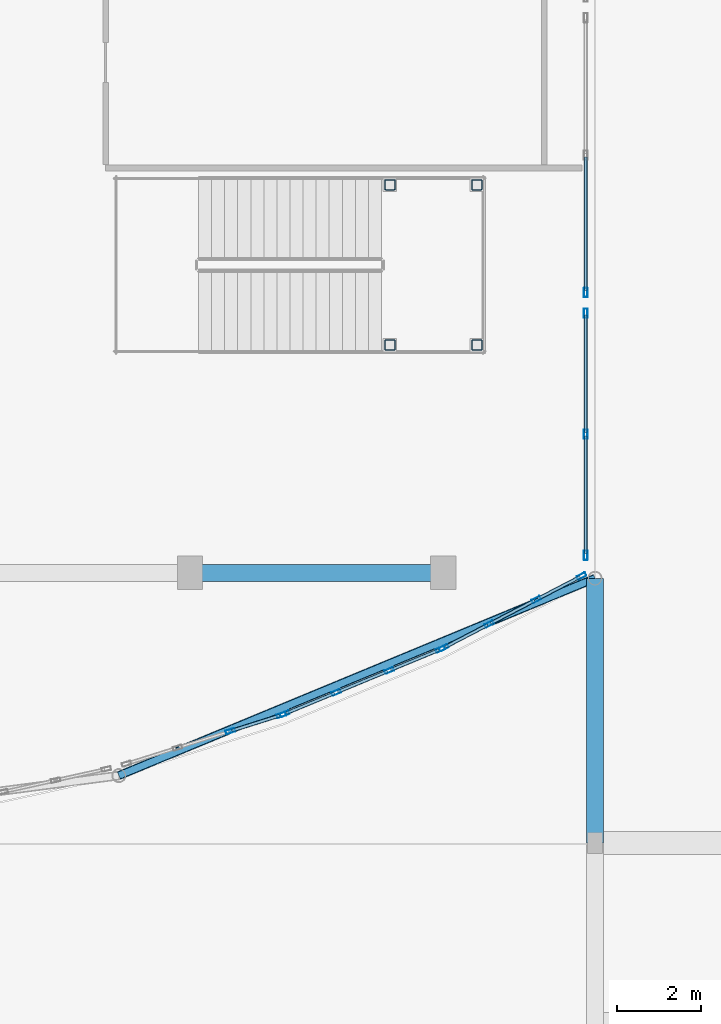
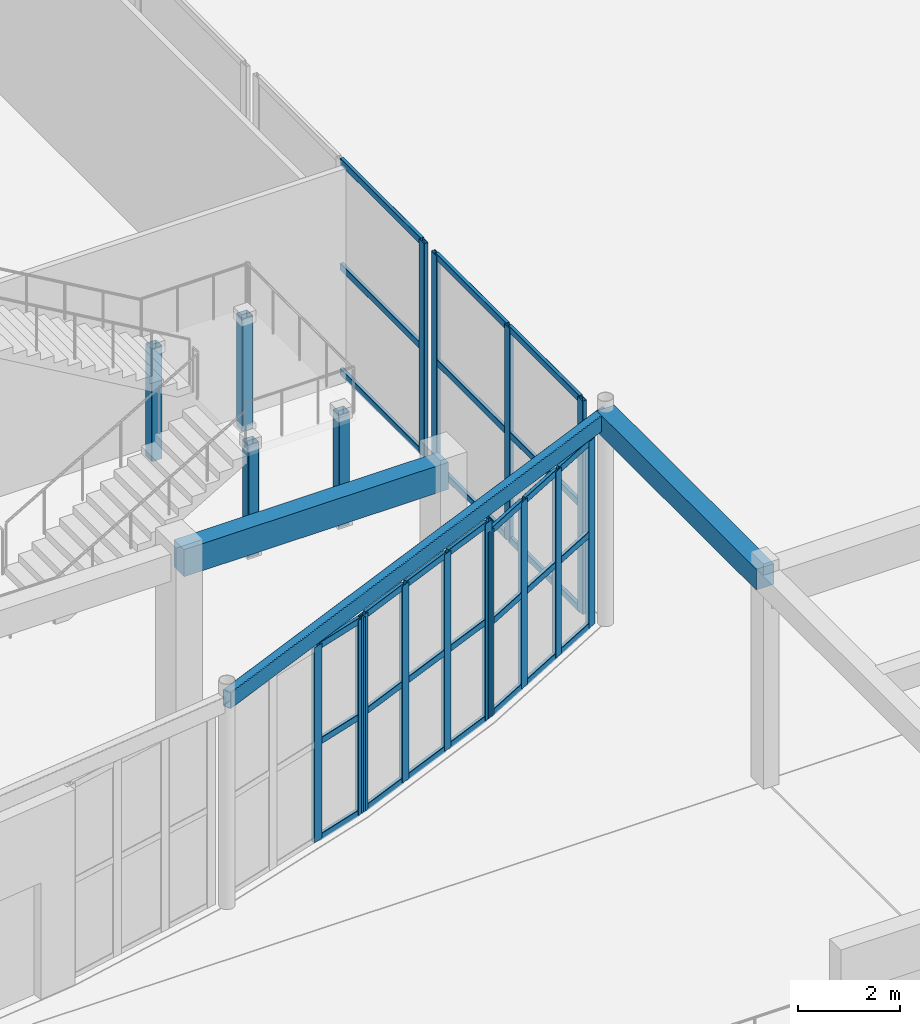
# One storey, part 14 of 98: 48 members, 3 beams, 5 elements without a shape of their own.
"""IFC4 building model written with IfcOpenShell, lengths in metres."""

import ifcopenshell
import ifcopenshell.guid

model = None  # the IFC model being written
_history = None  # IfcOwnerHistory: only IFC2X3 demands one
_inside = {}  # id of a spatial element -> (the spatial element, [elements in it])
_under = {}  # id of a project, library or spatial element -> (it, [spatial elements below it])
_declared = {}  # id of a project -> (the project, [libraries it declares])
_typed = {}  # id of a type object -> (the type object, [elements of that type])
_made_of = {}  # id of a material, layer set ... -> (it, [elements and type objects made of it])


def new_model(schema):
    """Start an empty IFC model of exactly this schema.

    Asked for "IFC4X3", IfcOpenShell would pick the latest addendum, in which some entities
    have other attributes; the version numbers below select the first issue.
    IFC2X3 requires an IfcOwnerHistory on every rooted entity: one is made here for all.
    """
    global model, _history
    if schema == "IFC4X3":
        model = ifcopenshell.file(schema_version=(4, 3, 0, 0))
    else:
        model = ifcopenshell.file(schema=schema)
    _inside.clear()
    _under.clear()
    _declared.clear()
    _typed.clear()
    _made_of.clear()
    _history = None
    if model.schema == "IFC2X3":
        org = make("IfcOrganization", Name="unknown")
        user = make(
            "IfcPersonAndOrganization",
            ThePerson=make("IfcPerson", FamilyName="unknown"),
            TheOrganization=org,
        )
        app = make(
            "IfcApplication",
            ApplicationDeveloper=org,
            Version="unknown",
            ApplicationFullName="unknown",
            ApplicationIdentifier="unknown",
        )
        _history = make(
            "IfcOwnerHistory",
            OwningUser=user,
            OwningApplication=app,
            ChangeAction="ADDED",
            CreationDate=0,
        )
    return model


def make(cls, **values):
    """One entity of the class cls with the attributes given. An attribute that is None is left unset."""
    return model.create_entity(
        cls, **{name: value for name, value in values.items() if value is not None}
    )


def rooted(cls, **values):
    """An entity with a GlobalId (a new one), such as an element, a storey or a relation."""
    return make(cls, GlobalId=ifcopenshell.guid.new(), OwnerHistory=_history, **values)


def si_unit(unit_type, name, prefix=None):
    """IfcSIUnit, for example si_unit("LENGTHUNIT", "METRE", prefix="MILLI")."""
    return make("IfcSIUnit", UnitType=unit_type, Prefix=prefix, Name=name)


def assignment(units):
    """IfcUnitAssignment: the units of a project."""
    return None if units is None else make("IfcUnitAssignment", Units=units)


def point(xyz):
    """IfcCartesianPoint."""
    return None if xyz is None else make("IfcCartesianPoint", Coordinates=xyz)


def direction(xyz):
    """IfcDirection."""
    return None if xyz is None else make("IfcDirection", DirectionRatios=xyz)


def frame(location, z_axis=None, x_axis=None):
    """IfcAxis2Placement3D, a coordinate frame: its origin and axes. An axis left out is left unset."""
    return make(
        "IfcAxis2Placement3D",
        Location=point(location),
        Axis=direction(z_axis),
        RefDirection=direction(x_axis),
    )


def frame_2d(location, x_axis=None):
    """IfcAxis2Placement2D, a coordinate frame in the plane: its origin and x axis."""
    return make(
        "IfcAxis2Placement2D", Location=point(location), RefDirection=direction(x_axis)
    )


def origin():
    """The frame at (0, 0, 0) with its axes left unset."""
    return frame((0.0, 0.0, 0.0))


def origin_2d():
    """The frame at (0, 0) in the plane with its x axis left unset."""
    return frame_2d((0.0, 0.0))


def place(relative_to, where):
    """IfcLocalPlacement: puts the frame where relative to a parent placement (None: the world)."""
    return make(
        "IfcLocalPlacement", PlacementRelTo=relative_to, RelativePlacement=where
    )


def context(
    kind, dimensions, precision=None, world=None, true_north=None, identifier=None
):
    """IfcGeometricRepresentationContext, for example the 3D "Model" context."""
    return make(
        "IfcGeometricRepresentationContext",
        ContextIdentifier=identifier,
        ContextType=kind,
        CoordinateSpaceDimension=dimensions,
        Precision=precision,
        WorldCoordinateSystem=world,
        TrueNorth=true_north,
    )


def subcontext(parent, identifier, kind, view, scale=None):
    """IfcGeometricRepresentationSubContext, for example "Body" below "Model"."""
    return make(
        "IfcGeometricRepresentationSubContext",
        ContextIdentifier=identifier,
        ContextType=kind,
        ParentContext=parent,
        TargetScale=scale,
        TargetView=view,
    )


def project(units=None, contexts=None):
    """IfcProject with its units and contexts."""
    return rooted(
        "IfcProject",
        Name="project",
        RepresentationContexts=contexts,
        UnitsInContext=assignment(units),
    )


def spatial(cls, under=None, at=None, **own):
    """A site, building, storey or space (cls), placed at a placement, below another one or the project."""
    s = rooted(cls, ObjectPlacement=at, **own)
    if under is not None:
        _under.setdefault(under.id(), (under, []))[1].append(s)
    return s


def profile(cls, at=None, kind="AREA", **sizes):
    """A parametric profile (cls). Its sizes go by their IFC names, for example OverallWidth=200.0."""
    return make(cls, ProfileType=kind, Position=at, **sizes)


def rectangle(**sizes):
    """IfcRectangleProfileDef."""
    return profile("IfcRectangleProfileDef", **sizes)


def hollow_rectangle(**sizes):
    """IfcRectangleHollowProfileDef."""
    return profile("IfcRectangleHollowProfileDef", **sizes)


def extrude(swept, where, along, depth):
    """IfcExtrudedAreaSolid: the profile swept, set in the frame where, extruded along a direction by depth."""
    return make(
        "IfcExtrudedAreaSolid",
        SweptArea=swept,
        Position=where,
        ExtrudedDirection=direction(along),
        Depth=depth,
    )


def shape(context_of_items, identifier, shape_type, items):
    """IfcShapeRepresentation: the items that make up one representation, for example the "Body"."""
    return make(
        "IfcShapeRepresentation",
        ContextOfItems=context_of_items,
        RepresentationIdentifier=identifier,
        RepresentationType=shape_type,
        Items=items,
    )


def material(Name=None, Category=None):
    """IfcMaterial."""
    return make("IfcMaterial", Name=Name, Category=Category)


def layer(
    of_material, thickness, ventilated=None, Name=None, Category=None, Priority=None
):
    """IfcMaterialLayer: one layer of a wall or slab, of a material (None: an air gap)."""
    return make(
        "IfcMaterialLayer",
        Material=of_material,
        LayerThickness=thickness,
        IsVentilated=ventilated,
        Name=Name,
        Category=Category,
        Priority=Priority,
    )


def layer_set(layers, Name=None):
    """IfcMaterialLayerSet."""
    return make("IfcMaterialLayerSet", MaterialLayers=layers, LayerSetName=Name)


def material_profile(
    of_material, cross_section, Name=None, Category=None, Priority=None
):
    """IfcMaterialProfile: a cross section and its material."""
    return make(
        "IfcMaterialProfile",
        Name=Name,
        Material=of_material,
        Profile=cross_section,
        Priority=Priority,
        Category=Category,
    )


def profile_set(profiles, Name=None, composite=None):
    """IfcMaterialProfileSet."""
    return make(
        "IfcMaterialProfileSet",
        Name=Name,
        MaterialProfiles=profiles,
        CompositeProfile=composite,
    )


def made_of(thing, what):
    """Note that an element or type object is made of a material, layer set ...; save() writes the relation."""
    if what is not None:
        _made_of.setdefault(what.id(), (what, []))[1].append(thing)
    return thing


def type_object(cls, material=None, **own):
    """A type object (cls), such as IfcWallType, which elements share."""
    return made_of(rooted(cls, **own), material)


def element(
    cls,
    number,
    at=None,
    inside=None,
    cuts=None,
    type_object=None,
    material=None,
    context=None,
    identifier="Body",
    shape_type=None,
    held_by="IfcProductDefinitionShape",
    body=None,
    shapes=None,
    **own,
):
    """One element of the class cls, such as IfcWall. Its Tag is "e" and its number.

    at: its placement. inside: the storey or other place that contains it. cuts: it is an
    opening in that element (IfcRelVoidsElement). A single representation is given by context,
    identifier, shape_type and body (its items); several are given by shapes. held_by: the class
    of the entity that holds the representations. save() writes the other relations.
    """
    e = rooted(cls, Tag="e%d" % number, ObjectPlacement=at, **own)
    if body is not None:
        shapes = [shape(context, identifier, shape_type, body)]
    if shapes is not None:
        e.Representation = make(held_by, Representations=shapes)
    if inside is not None:
        _inside.setdefault(inside.id(), (inside, []))[1].append(e)
    if cuts is not None:
        rooted(
            "IfcRelVoidsElement", RelatingBuildingElement=cuts, RelatedOpeningElement=e
        )
    if type_object is not None:
        _typed.setdefault(type_object.id(), (type_object, []))[1].append(e)
    return made_of(e, material)


def aggregate(whole, parts):
    """IfcRelAggregates: a whole, such as a stair, and the parts it consists of."""
    return rooted("IfcRelAggregates", RelatingObject=whole, RelatedObjects=parts)


def save(model, path):
    """Write the relations noted so far, then the file.

    IfcRelAggregates (storeys below a building ...), IfcRelContainedInSpatialStructure (elements
    in a storey), IfcRelDefinesByType, IfcRelAssociatesMaterial and IfcRelDeclares: one each for
    every whole, place, type object, material and project.
    """
    for whole, parts in _under.values():
        aggregate(whole, parts)
    for where, things in _inside.values():
        rooted(
            "IfcRelContainedInSpatialStructure",
            RelatedElements=things,
            RelatingStructure=where,
        )
    for kind, things in _typed.values():
        rooted("IfcRelDefinesByType", RelatedObjects=things, RelatingType=kind)
    for what, things in _made_of.values():
        rooted("IfcRelAssociatesMaterial", RelatedObjects=things, RelatingMaterial=what)
    for by, libraries in _declared.values():
        rooted("IfcRelDeclares", RelatingContext=by, RelatedDefinitions=libraries)
    model.write(path)


model = new_model("IFC4")

# Units and contexts
model_context = context("Model", 3, precision=1e-05, world=origin(), true_north=direction((0.0, 1.0)))
body_context = subcontext(model_context, "Body", "Model", "MODEL_VIEW")
ifc_project = project(units=[si_unit("LENGTHUNIT", "METRE"), si_unit("AREAUNIT", "SQUARE_METRE"), si_unit("VOLUMEUNIT", "CUBIC_METRE"), si_unit("PLANEANGLEUNIT", "RADIAN"), si_unit("MASSUNIT", "GRAM", prefix="KILO")], contexts=[model_context])

# Site, building, storey
site_placement = place(None, origin())
site = spatial("IfcSite", under=ifc_project, at=site_placement, CompositionType="ELEMENT")
building_placement = place(site_placement, origin())
building = spatial("IfcBuilding", under=site, at=building_placement, Name="Tarnavel Promenade Courthouse", CompositionType="ELEMENT")
storey_placement = place(building_placement, origin())
storey = spatial("IfcBuildingStorey", under=building, at=storey_placement, Name="L01", CompositionType="ELEMENT", Elevation=0.0)

# Beams
ifc_material_1 = material(Name="Concrete C40/50", Category="concrete")
ifc_material_profile_1 = material_profile(ifc_material_1, rectangle(XDim=0.39990234375, YDim=0.5, at=origin_2d()), Name="RC 400x500")
ifc_profile_set_1 = profile_set([ifc_material_profile_1], Name="Concrete C40/50")
beam_type_1 = type_object("IfcBeamType", Name="Concrete C40/50 BM-RC-400x500 (RC 400x500)", PredefinedType="BEAM", material=ifc_profile_set_1)
beam_1_placement = place(storey_placement, frame((55.199951171875, 8.39990234375, 4.885009765625), z_axis=(0.0, 1.0, 0.0), x_axis=(-1.0, 0.0, 0.0)))
element("IfcBeam", 1, at=beam_1_placement, inside=storey, type_object=beam_type_1, Name="L01 Transverse Girder 0788", PredefinedType="BEAM", context=body_context, shape_type="SweptSolid", body=[
    extrude(rectangle(XDim=0.39990234375, YDim=0.5, at=origin_2d()), origin(), (0.0, 0.0, 1.0), 6.27001953125),
])
ifc_material_profile_2 = material_profile(ifc_material_1, rectangle(XDim=0.39990234375, YDim=0.64990234375, at=origin_2d()), Name="RC 400x650")
ifc_profile_set_2 = profile_set([ifc_material_profile_2], Name="Concrete C40/50")
beam_type_2 = type_object("IfcBeamType", Name="Concrete C40/50 BM-RC-400x650 (RC 400x650)", PredefinedType="BEAM", material=ifc_profile_set_2)
beam_2_placement = place(storey_placement, frame((45.60009765625, 14.800048828125, 4.81005859375), z_axis=(1.0, 0.0, 0.0), x_axis=(0.0, 1.0, 0.0)))
element("IfcBeam", 2, at=beam_2_placement, inside=storey, type_object=beam_type_2, Name="L01 Primary Longitudinal Beam 0586", PredefinedType="BEAM", context=body_context, shape_type="SweptSolid", body=[
    extrude(rectangle(XDim=0.39990234375, YDim=0.64990234375, at=origin_2d()), origin(), (0.0, 0.0, 1.0), 6.0),
])
ifc_material_2 = material(Name="Steel S355J2", Category="steel")
ifc_material_profile_3 = material_profile(ifc_material_2, hollow_rectangle(XDim=0.199951171875, YDim=0.39990234375, WallThickness=0.01416015625, InnerFilletRadius=0.013916015625, OuterFilletRadius=0.028076171875, at=origin_2d()), Name="RHS 400x200x14.2")
ifc_profile_set_3 = profile_set([ifc_material_profile_3], Name="Steel S355J2")
beam_type_3 = type_object("IfcBeamType", Name="Steel S355J2 BM-ST-RHS400 (RHS 400x200x14.2)", PredefinedType="SPANDREL", material=ifc_profile_set_3)
beam_3_placement = place(storey_placement, frame((43.91259765625, 9.99462890625, 4.93505859375), z_axis=(0.923881903753, 0.38267770763, 0.0), x_axis=(-0.38267770763, 0.923881903753, 0.0)))
element("IfcBeam", 3, at=beam_3_placement, inside=storey, type_object=beam_type_3, Name="L01 Public Drum Ring Beam 1069", PredefinedType="SPANDREL", context=body_context, shape_type="SweptSolid", body=[
    extrude(hollow_rectangle(XDim=0.199951171875, YDim=0.39990234375, WallThickness=0.01416015625, InnerFilletRadius=0.013916015625, OuterFilletRadius=0.028076171875, at=origin_2d()), origin(), (0.0, 0.0, 1.0), 12.21728515625),
])

# Members
ifc_material_profile_4 = material_profile(ifc_material_2, hollow_rectangle(XDim=0.25, YDim=0.25, WallThickness=0.012451171875, InnerFilletRadius=0.012451171875, OuterFilletRadius=0.02490234375, at=origin_2d()), Name="SHS 250x250x12.5")
ifc_profile_set_4 = profile_set([ifc_material_profile_4], Name="Steel S355J2")
member_type_1 = type_object("IfcMemberType", Name="Steel S355J2 MEM-STR-SHS250 (SHS 250x250x12.5)", PredefinedType="STRUT", material=ifc_profile_set_4)
for number, where, z_axis, x_axis, name in (
    (4, (50.340087890625, 20.199951171875, 0.0), (0.0, 0.0, 1.0), (1.0, 0.0, 0.0), "L01 ST-09 Monumental Stair Landing Post 1"),
    (5, (52.39990234375, 20.199951171875, 0.0), (0.0, 0.0, 1.0), (1.0, 0.0, 0.0), "L01 ST-09 Monumental Stair Landing Post 2"),
    (6, (50.340087890625, 24.0, 0.0), (0.0, 0.0, 1.0), (1.0, 0.0, 0.0), "L01 ST-09 Monumental Stair Landing Post 3"),
    (7, (52.39990234375, 24.0, 0.0), (0.0, 0.0, 1.0), (1.0, 0.0, 0.0), "L01 ST-09 Monumental Stair Landing Post 4"),
):
    element("IfcMember", number, at=place(storey_placement, frame(where, z_axis=z_axis, x_axis=x_axis)), inside=storey, type_object=member_type_1, Name=name, PredefinedType="STRUT", context=body_context, shape_type="SweptSolid", body=[
        extrude(hollow_rectangle(XDim=0.25, YDim=0.25, WallThickness=0.012451171875, InnerFilletRadius=0.012451171875, OuterFilletRadius=0.02490234375, at=origin_2d()), origin(), (0.0, 0.0, 1.0), 2.699951171875),
    ])

# Curtain wall, members
ifc_material_3 = material(Name="Thermally Broken Anodised Aluminium Curtain Wall System", Category="aluminium")
ifc_layer = layer(ifc_material_3, 0.219970703125)
ifc_layer_set = layer_set([ifc_layer], Name="Thermally Broken Anodised Aluminium Curtain Wall System")
curtain_wall_type = type_object("IfcCurtainWallType", Name="Thermally Broken Aluminium Triple-Glazed Curtain Wall CW-DRUM", PredefinedType="NOTDEFINED", material=ifc_layer_set)
curtain_wall_1_placement = place(storey_placement, origin())
curtain_wall_1 = element("IfcCurtainWall", 8, at=curtain_wall_1_placement, inside=storey, type_object=curtain_wall_type, Name="L01 Public Hall Drum Curtain Wall 006", PredefinedType="NOTDEFINED")
ifc_material_4 = material(Name="Thermally Broken Anodised Aluminium Frame", Category="aluminium")
ifc_material_profile_5 = material_profile(ifc_material_4, hollow_rectangle(XDim=0.090087890625, YDim=0.219970703125, WallThickness=0.0048828125, InnerFilletRadius=0.0048828125, OuterFilletRadius=0.010009765625, at=origin_2d()), Name="CWM 220x90x5")
ifc_profile_set_5 = profile_set([ifc_material_profile_5], Name="Thermally Broken Anodised Aluminium Frame")
member_type_2 = type_object("IfcMemberType", Name="Thermally Broken Anodised Aluminium CWM-175 (CWM 220x90x5)", PredefinedType="MULLION", material=ifc_profile_set_5)
member_1_placement = place(storey_placement, frame((46.554931640625, 11.0478515625, 0.0), z_axis=(0.0, 0.0, 1.0), x_axis=(-0.300704046766, 0.953717503383, 0.0)))
member_1 = element("IfcMember", 9, at=member_1_placement, type_object=member_type_2, Name="CW-01 mullion 3", PredefinedType="MULLION", context=body_context, shape_type="SweptSolid", body=[
    extrude(hollow_rectangle(XDim=0.090087890625, YDim=0.219970703125, WallThickness=0.0048828125, InnerFilletRadius=0.0048828125, OuterFilletRadius=0.010009765625, at=origin_2d()), origin(), (0.0, 0.0, 1.0), 4.679931640625),
])
member_2_placement = place(storey_placement, frame((47.763671875, 11.428955078125, 0.0), z_axis=(0.0, 0.0, 1.0), x_axis=(-0.300704046766, 0.953717503383, 0.0)))
member_2 = element("IfcMember", 10, at=member_2_placement, type_object=member_type_2, Name="CW-01 mullion 4", PredefinedType="MULLION", context=body_context, shape_type="SweptSolid", body=[
    extrude(hollow_rectangle(XDim=0.090087890625, YDim=0.219970703125, WallThickness=0.0048828125, InnerFilletRadius=0.0048828125, OuterFilletRadius=0.010009765625, at=origin_2d()), origin(), (0.0, 0.0, 1.0), 4.679931640625),
])

curtain_wall_2_placement = place(storey_placement, origin())
curtain_wall_2 = element("IfcCurtainWall", 11, at=curtain_wall_2_placement, inside=storey, type_object=curtain_wall_type, Name="L01 Public Hall Drum Curtain Wall 007", PredefinedType="NOTDEFINED")
member_3_placement = place(storey_placement, frame((47.84814453125, 11.459716796875, 0.0), z_axis=(0.0, 0.0, 1.0), x_axis=(-0.382684779296, 0.923878974593, 0.0)))
member_3 = element("IfcMember", 12, at=member_3_placement, type_object=member_type_2, Name="CW-01 mullion 1", PredefinedType="MULLION", context=body_context, shape_type="SweptSolid", body=[
    extrude(hollow_rectangle(XDim=0.090087890625, YDim=0.219970703125, WallThickness=0.0048828125, InnerFilletRadius=0.0048828125, OuterFilletRadius=0.010009765625, at=origin_2d()), origin(), (0.0, 0.0, 1.0), 4.719970703125),
])
member_4_placement = place(storey_placement, frame((49.06396484375, 11.963134765625, 0.0), z_axis=(0.0, 0.0, 1.0), x_axis=(-0.382684779296, 0.923878974593, 0.0)))
member_4 = element("IfcMember", 13, at=member_4_placement, type_object=member_type_2, Name="CW-01 mullion 2", PredefinedType="MULLION", context=body_context, shape_type="SweptSolid", body=[
    extrude(hollow_rectangle(XDim=0.090087890625, YDim=0.219970703125, WallThickness=0.0048828125, InnerFilletRadius=0.0048828125, OuterFilletRadius=0.010009765625, at=origin_2d()), origin(), (0.0, 0.0, 1.0), 4.719970703125),
])
member_5_placement = place(storey_placement, frame((50.3212890625, 12.48388671875, 0.0), z_axis=(0.0, 0.0, 1.0), x_axis=(-0.382684779296, 0.923878974593, 0.0)))
member_5 = element("IfcMember", 14, at=member_5_placement, type_object=member_type_2, Name="CW-01 mullion 3", PredefinedType="MULLION", context=body_context, shape_type="SweptSolid", body=[
    extrude(hollow_rectangle(XDim=0.090087890625, YDim=0.219970703125, WallThickness=0.0048828125, InnerFilletRadius=0.0048828125, OuterFilletRadius=0.010009765625, at=origin_2d()), origin(), (0.0, 0.0, 1.0), 4.719970703125),
])
member_6_placement = place(storey_placement, frame((51.536865234375, 12.987548828125, 0.0), z_axis=(0.0, 0.0, 1.0), x_axis=(-0.382684779296, 0.923878974593, 0.0)))
member_6 = element("IfcMember", 15, at=member_6_placement, type_object=member_type_2, Name="CW-01 mullion 4", PredefinedType="MULLION", context=body_context, shape_type="SweptSolid", body=[
    extrude(hollow_rectangle(XDim=0.090087890625, YDim=0.219970703125, WallThickness=0.0048828125, InnerFilletRadius=0.0048828125, OuterFilletRadius=0.010009765625, at=origin_2d()), origin(), (0.0, 0.0, 1.0), 4.719970703125),
])

curtain_wall_3_placement = place(storey_placement, origin())
curtain_wall_3 = element("IfcCurtainWall", 16, at=curtain_wall_3_placement, inside=storey, type_object=curtain_wall_type, Name="L01 Public Hall Drum Curtain Wall 008", PredefinedType="NOTDEFINED")
member_7_placement = place(storey_placement, frame((51.618408203125, 13.025634765625, 0.0), z_axis=(0.0, 0.0, 1.0), x_axis=(-0.461746974945, 0.887011686016, 0.0)))
member_7 = element("IfcMember", 17, at=member_7_placement, type_object=member_type_2, Name="CW-01 mullion 1", PredefinedType="MULLION", context=body_context, shape_type="SweptSolid", body=[
    extrude(hollow_rectangle(XDim=0.090087890625, YDim=0.219970703125, WallThickness=0.0048828125, InnerFilletRadius=0.0048828125, OuterFilletRadius=0.010009765625, at=origin_2d()), origin(), (0.0, 0.0, 1.0), 4.469970703125),
])
member_8_placement = place(storey_placement, frame((52.69287109375, 13.5849609375, 0.0), z_axis=(0.0, 0.0, 1.0), x_axis=(-0.461746974945, 0.887011686016, 0.0)))
member_8 = element("IfcMember", 18, at=member_8_placement, type_object=member_type_2, Name="CW-01 mullion 2", PredefinedType="MULLION", context=body_context, shape_type="SweptSolid", body=[
    extrude(hollow_rectangle(XDim=0.090087890625, YDim=0.219970703125, WallThickness=0.0048828125, InnerFilletRadius=0.0048828125, OuterFilletRadius=0.010009765625, at=origin_2d()), origin(), (0.0, 0.0, 1.0), 4.469970703125),
])
member_9_placement = place(storey_placement, frame((53.807373046875, 14.1650390625, 0.0), z_axis=(0.0, 0.0, 1.0), x_axis=(-0.461746974945, 0.887011686016, 0.0)))
member_9 = element("IfcMember", 19, at=member_9_placement, type_object=member_type_2, Name="CW-01 mullion 3", PredefinedType="MULLION", context=body_context, shape_type="SweptSolid", body=[
    extrude(hollow_rectangle(XDim=0.090087890625, YDim=0.219970703125, WallThickness=0.0048828125, InnerFilletRadius=0.0048828125, OuterFilletRadius=0.010009765625, at=origin_2d()), origin(), (0.0, 0.0, 1.0), 4.469970703125),
])
member_10_placement = place(storey_placement, frame((54.882080078125, 14.724365234375, 0.0), z_axis=(0.0, 0.0, 1.0), x_axis=(-0.461746974945, 0.887011686016, 0.0)))
member_10 = element("IfcMember", 20, at=member_10_placement, type_object=member_type_2, Name="CW-01 mullion 4", PredefinedType="MULLION", context=body_context, shape_type="SweptSolid", body=[
    extrude(hollow_rectangle(XDim=0.090087890625, YDim=0.219970703125, WallThickness=0.0048828125, InnerFilletRadius=0.0048828125, OuterFilletRadius=0.010009765625, at=origin_2d()), origin(), (0.0, 0.0, 1.0), 4.469970703125),
])

curtain_wall_4_placement = place(storey_placement, origin())
curtain_wall_4 = element("IfcCurtainWall", 21, at=curtain_wall_4_placement, inside=storey, type_object=curtain_wall_type, Name="L01 Public Drum East Return Curtain Wall 009", PredefinedType="NOTDEFINED")
member_11_placement = place(storey_placement, frame((54.97998046875, 15.215087890625, 0.0), z_axis=(0.0, 0.0, 1.0), x_axis=(-1.0, 0.0, 0.0)))
member_11 = element("IfcMember", 22, at=member_11_placement, type_object=member_type_2, Name="CW-01 mullion 1", PredefinedType="MULLION", context=body_context, shape_type="SweptSolid", body=[
    extrude(hollow_rectangle(XDim=0.090087890625, YDim=0.219970703125, WallThickness=0.0048828125, InnerFilletRadius=0.0048828125, OuterFilletRadius=0.010009765625, at=origin_2d()), origin(), (0.0, 0.0, 1.0), 5.1201171875),
])
member_12_placement = place(storey_placement, frame((54.97998046875, 18.0849609375, 0.0), z_axis=(0.0, 0.0, 1.0), x_axis=(-1.0, 0.0, 0.0)))
member_12 = element("IfcMember", 23, at=member_12_placement, type_object=member_type_2, Name="CW-01 mullion 2", PredefinedType="MULLION", context=body_context, shape_type="SweptSolid", body=[
    extrude(hollow_rectangle(XDim=0.090087890625, YDim=0.219970703125, WallThickness=0.0048828125, InnerFilletRadius=0.0048828125, OuterFilletRadius=0.010009765625, at=origin_2d()), origin(), (0.0, 0.0, 1.0), 5.1201171875),
])
member_13_placement = place(storey_placement, frame((54.97998046875, 20.955078125, 0.0), z_axis=(0.0, 0.0, 1.0), x_axis=(-1.0, 0.0, 0.0)))
member_13 = element("IfcMember", 24, at=member_13_placement, type_object=member_type_2, Name="CW-01 mullion 3", PredefinedType="MULLION", context=body_context, shape_type="SweptSolid", body=[
    extrude(hollow_rectangle(XDim=0.090087890625, YDim=0.219970703125, WallThickness=0.0048828125, InnerFilletRadius=0.0048828125, OuterFilletRadius=0.010009765625, at=origin_2d()), origin(), (0.0, 0.0, 1.0), 5.1201171875),
])

# Curtain wall, member
curtain_wall_5_placement = place(storey_placement, origin())
curtain_wall_5 = element("IfcCurtainWall", 25, at=curtain_wall_5_placement, inside=storey, type_object=curtain_wall_type, Name="L01 Public Drum East Return Curtain Wall 010", PredefinedType="NOTDEFINED")
member_14_placement = place(storey_placement, frame((54.97998046875, 21.445068359375, 0.0), z_axis=(0.0, 0.0, 1.0), x_axis=(-1.0, 0.0, 0.0)))
member_14 = element("IfcMember", 26, at=member_14_placement, type_object=member_type_2, Name="CW-01 mullion 1", PredefinedType="MULLION", context=body_context, shape_type="SweptSolid", body=[
    extrude(hollow_rectangle(XDim=0.090087890625, YDim=0.219970703125, WallThickness=0.0048828125, InnerFilletRadius=0.0048828125, OuterFilletRadius=0.010009765625, at=origin_2d()), origin(), (0.0, 0.0, 1.0), 5.1201171875),
])

# Member
ifc_material_profile_6 = material_profile(ifc_material_4, hollow_rectangle(XDim=0.080078125, YDim=0.159912109375, WallThickness=0.0048828125, InnerFilletRadius=0.0048828125, OuterFilletRadius=0.010009765625, at=origin_2d()), Name="CWT 160x80x5")
ifc_profile_set_6 = profile_set([ifc_material_profile_6], Name="Thermally Broken Anodised Aluminium Frame")
member_type_3 = type_object("IfcMemberType", Name="Thermally Broken Anodised Aluminium CWT-145 (CWT 160x80x5)", PredefinedType="USERDEFINED", material=ifc_profile_set_6)
member_15_placement = place(storey_placement, frame((46.597900390625, 11.061279296875, 0.0400390625), z_axis=(0.953720467318, 0.300694646143, 0.0), x_axis=(-0.300694646143, 0.953720467318, 0.0)))
member_15 = element("IfcMember", 27, at=member_15_placement, type_object=member_type_3, Name="CW-01 transom 3.1", ObjectType="TRANSOM", PredefinedType="USERDEFINED", context=body_context, shape_type="SweptSolid", body=[
    extrude(hollow_rectangle(XDim=0.080078125, YDim=0.159912109375, WallThickness=0.0048828125, InnerFilletRadius=0.0048828125, OuterFilletRadius=0.010009765625, at=origin_2d()), origin(), (0.0, 0.0, 1.0), 1.17724609375),
])

member_16_placement = place(storey_placement, frame((46.597900390625, 11.061279296875, 2.340087890625), z_axis=(0.953720467318, 0.300694646143, 0.0), x_axis=(-0.300694646143, 0.953720467318, 0.0)))
member_16 = element("IfcMember", 28, at=member_16_placement, type_object=member_type_3, Name="CW-01 transom 3.2", ObjectType="TRANSOM", PredefinedType="USERDEFINED", context=body_context, shape_type="SweptSolid", body=[
    extrude(hollow_rectangle(XDim=0.080078125, YDim=0.159912109375, WallThickness=0.0048828125, InnerFilletRadius=0.0048828125, OuterFilletRadius=0.010009765625, at=origin_2d()), origin(), (0.0, 0.0, 1.0), 1.17724609375),
])

member_17_placement = place(storey_placement, frame((46.597900390625, 11.061279296875, 4.639892578125), z_axis=(0.953720467318, 0.300694646143, 0.0), x_axis=(-0.300694646143, 0.953720467318, 0.0)))
member_17 = element("IfcMember", 29, at=member_17_placement, type_object=member_type_3, Name="CW-01 transom 3.3", ObjectType="TRANSOM", PredefinedType="USERDEFINED", context=body_context, shape_type="SweptSolid", body=[
    extrude(hollow_rectangle(XDim=0.080078125, YDim=0.159912109375, WallThickness=0.0048828125, InnerFilletRadius=0.0048828125, OuterFilletRadius=0.010009765625, at=origin_2d()), origin(), (0.0, 0.0, 1.0), 1.17724609375),
])

aggregate(curtain_wall_1, [member_1, member_2, member_15, member_16, member_17])

member_18_placement = place(storey_placement, frame((47.8896484375, 11.476806640625, 0.0400390625), z_axis=(0.923846909596, 0.382762181557, 0.0), x_axis=(-0.382762181557, 0.923846909596, 0.0)))
member_18 = element("IfcMember", 30, at=member_18_placement, type_object=member_type_3, Name="CW-01 transom 1.1", ObjectType="TRANSOM", PredefinedType="USERDEFINED", context=body_context, shape_type="SweptSolid", body=[
    extrude(hollow_rectangle(XDim=0.080078125, YDim=0.159912109375, WallThickness=0.0048828125, InnerFilletRadius=0.0048828125, OuterFilletRadius=0.010009765625, at=origin_2d()), origin(), (0.0, 0.0, 1.0), 1.225830078125),
])

member_19_placement = place(storey_placement, frame((47.8896484375, 11.476806640625, 2.360107421875), z_axis=(0.923846909596, 0.382762181557, 0.0), x_axis=(-0.382762181557, 0.923846909596, 0.0)))
member_19 = element("IfcMember", 31, at=member_19_placement, type_object=member_type_3, Name="CW-01 transom 1.2", ObjectType="TRANSOM", PredefinedType="USERDEFINED", context=body_context, shape_type="SweptSolid", body=[
    extrude(hollow_rectangle(XDim=0.080078125, YDim=0.159912109375, WallThickness=0.0048828125, InnerFilletRadius=0.0048828125, OuterFilletRadius=0.010009765625, at=origin_2d()), origin(), (0.0, 0.0, 1.0), 1.225830078125),
])

member_20_placement = place(storey_placement, frame((47.8896484375, 11.476806640625, 4.679931640625), z_axis=(0.923846909596, 0.382762181557, 0.0), x_axis=(-0.382762181557, 0.923846909596, 0.0)))
member_20 = element("IfcMember", 32, at=member_20_placement, type_object=member_type_3, Name="CW-01 transom 1.3", ObjectType="TRANSOM", PredefinedType="USERDEFINED", context=body_context, shape_type="SweptSolid", body=[
    extrude(hollow_rectangle(XDim=0.080078125, YDim=0.159912109375, WallThickness=0.0048828125, InnerFilletRadius=0.0048828125, OuterFilletRadius=0.010009765625, at=origin_2d()), origin(), (0.0, 0.0, 1.0), 1.225830078125),
])

member_21_placement = place(storey_placement, frame((49.10546875, 11.98046875, 0.0400390625), z_axis=(0.923876341576, 0.382691135874, 0.0), x_axis=(-0.382691135874, 0.923876341576, 0.0)))
member_21 = element("IfcMember", 33, at=member_21_placement, type_object=member_type_3, Name="CW-01 transom 2.1", ObjectType="TRANSOM", PredefinedType="USERDEFINED", context=body_context, shape_type="SweptSolid", body=[
    extrude(hollow_rectangle(XDim=0.080078125, YDim=0.159912109375, WallThickness=0.0048828125, InnerFilletRadius=0.0048828125, OuterFilletRadius=0.010009765625, at=origin_2d()), origin(), (0.0, 0.0, 1.0), 1.270751953125),
])

member_22_placement = place(storey_placement, frame((49.10546875, 11.98046875, 2.360107421875), z_axis=(0.923876341576, 0.382691135874, 0.0), x_axis=(-0.382691135874, 0.923876341576, 0.0)))
member_22 = element("IfcMember", 34, at=member_22_placement, type_object=member_type_3, Name="CW-01 transom 2.2", ObjectType="TRANSOM", PredefinedType="USERDEFINED", context=body_context, shape_type="SweptSolid", body=[
    extrude(hollow_rectangle(XDim=0.080078125, YDim=0.159912109375, WallThickness=0.0048828125, InnerFilletRadius=0.0048828125, OuterFilletRadius=0.010009765625, at=origin_2d()), origin(), (0.0, 0.0, 1.0), 1.270751953125),
])

member_23_placement = place(storey_placement, frame((49.10546875, 11.98046875, 4.679931640625), z_axis=(0.923876341576, 0.382691135874, 0.0), x_axis=(-0.382691135874, 0.923876341576, 0.0)))
member_23 = element("IfcMember", 35, at=member_23_placement, type_object=member_type_3, Name="CW-01 transom 2.3", ObjectType="TRANSOM", PredefinedType="USERDEFINED", context=body_context, shape_type="SweptSolid", body=[
    extrude(hollow_rectangle(XDim=0.080078125, YDim=0.159912109375, WallThickness=0.0048828125, InnerFilletRadius=0.0048828125, OuterFilletRadius=0.010009765625, at=origin_2d()), origin(), (0.0, 0.0, 1.0), 1.270751953125),
])

member_24_placement = place(storey_placement, frame((50.36279296875, 12.501220703125, 0.0400390625), z_axis=(0.923846909596, 0.382762181557, 0.0), x_axis=(-0.382762181557, 0.923846909596, 0.0)))
member_24 = element("IfcMember", 36, at=member_24_placement, type_object=member_type_3, Name="CW-01 transom 3.1", ObjectType="TRANSOM", PredefinedType="USERDEFINED", context=body_context, shape_type="SweptSolid", body=[
    extrude(hollow_rectangle(XDim=0.080078125, YDim=0.159912109375, WallThickness=0.0048828125, InnerFilletRadius=0.0048828125, OuterFilletRadius=0.010009765625, at=origin_2d()), origin(), (0.0, 0.0, 1.0), 1.225830078125),
])

member_25_placement = place(storey_placement, frame((50.36279296875, 12.501220703125, 2.360107421875), z_axis=(0.923846909596, 0.382762181557, 0.0), x_axis=(-0.382762181557, 0.923846909596, 0.0)))
member_25 = element("IfcMember", 37, at=member_25_placement, type_object=member_type_3, Name="CW-01 transom 3.2", ObjectType="TRANSOM", PredefinedType="USERDEFINED", context=body_context, shape_type="SweptSolid", body=[
    extrude(hollow_rectangle(XDim=0.080078125, YDim=0.159912109375, WallThickness=0.0048828125, InnerFilletRadius=0.0048828125, OuterFilletRadius=0.010009765625, at=origin_2d()), origin(), (0.0, 0.0, 1.0), 1.225830078125),
])

member_26_placement = place(storey_placement, frame((50.36279296875, 12.501220703125, 4.679931640625), z_axis=(0.923846909596, 0.382762181557, 0.0), x_axis=(-0.382762181557, 0.923846909596, 0.0)))
member_26 = element("IfcMember", 38, at=member_26_placement, type_object=member_type_3, Name="CW-01 transom 3.3", ObjectType="TRANSOM", PredefinedType="USERDEFINED", context=body_context, shape_type="SweptSolid", body=[
    extrude(hollow_rectangle(XDim=0.080078125, YDim=0.159912109375, WallThickness=0.0048828125, InnerFilletRadius=0.0048828125, OuterFilletRadius=0.010009765625, at=origin_2d()), origin(), (0.0, 0.0, 1.0), 1.225830078125),
])

aggregate(curtain_wall_2, [member_3, member_4, member_5, member_6, member_18, member_19, member_20, member_21, member_22, member_23, member_24, member_25, member_26])

member_27_placement = place(storey_placement, frame((51.658447265625, 13.04638671875, 0.0400390625), z_axis=(0.886992120745, 0.461784557707, 0.0), x_axis=(-0.461784557707, 0.886992120745, 0.0)))
member_27 = element("IfcMember", 39, at=member_27_placement, type_object=member_type_3, Name="CW-01 transom 1.1", ObjectType="TRANSOM", PredefinedType="USERDEFINED", context=body_context, shape_type="SweptSolid", body=[
    extrude(hollow_rectangle(XDim=0.080078125, YDim=0.159912109375, WallThickness=0.0048828125, InnerFilletRadius=0.0048828125, OuterFilletRadius=0.010009765625, at=origin_2d()), origin(), (0.0, 0.0, 1.0), 1.121337890625),
])

member_28_placement = place(storey_placement, frame((51.658447265625, 13.04638671875, 2.235107421875), z_axis=(0.886992120745, 0.461784557707, 0.0), x_axis=(-0.461784557707, 0.886992120745, 0.0)))
member_28 = element("IfcMember", 40, at=member_28_placement, type_object=member_type_3, Name="CW-01 transom 1.2", ObjectType="TRANSOM", PredefinedType="USERDEFINED", context=body_context, shape_type="SweptSolid", body=[
    extrude(hollow_rectangle(XDim=0.080078125, YDim=0.159912109375, WallThickness=0.0048828125, InnerFilletRadius=0.0048828125, OuterFilletRadius=0.010009765625, at=origin_2d()), origin(), (0.0, 0.0, 1.0), 1.121337890625),
])

member_29_placement = place(storey_placement, frame((51.658447265625, 13.04638671875, 4.429931640625), z_axis=(0.886992120745, 0.461784557707, 0.0), x_axis=(-0.461784557707, 0.886992120745, 0.0)))
member_29 = element("IfcMember", 41, at=member_29_placement, type_object=member_type_3, Name="CW-01 transom 1.3", ObjectType="TRANSOM", PredefinedType="USERDEFINED", context=body_context, shape_type="SweptSolid", body=[
    extrude(hollow_rectangle(XDim=0.080078125, YDim=0.159912109375, WallThickness=0.0048828125, InnerFilletRadius=0.0048828125, OuterFilletRadius=0.010009765625, at=origin_2d()), origin(), (0.0, 0.0, 1.0), 1.121337890625),
])

member_30_placement = place(storey_placement, frame((52.73291015625, 13.605712890625, 0.0400390625), z_axis=(0.887024819742, 0.461721744302, 0.0), x_axis=(-0.461721744302, 0.887024819742, 0.0)))
member_30 = element("IfcMember", 42, at=member_30_placement, type_object=member_type_3, Name="CW-01 transom 2.1", ObjectType="TRANSOM", PredefinedType="USERDEFINED", context=body_context, shape_type="SweptSolid", body=[
    extrude(hollow_rectangle(XDim=0.080078125, YDim=0.159912109375, WallThickness=0.0048828125, InnerFilletRadius=0.0048828125, OuterFilletRadius=0.010009765625, at=origin_2d()), origin(), (0.0, 0.0, 1.0), 1.16650390625),
])

member_31_placement = place(storey_placement, frame((52.73291015625, 13.605712890625, 2.235107421875), z_axis=(0.887024819742, 0.461721744302, 0.0), x_axis=(-0.461721744302, 0.887024819742, 0.0)))
member_31 = element("IfcMember", 43, at=member_31_placement, type_object=member_type_3, Name="CW-01 transom 2.2", ObjectType="TRANSOM", PredefinedType="USERDEFINED", context=body_context, shape_type="SweptSolid", body=[
    extrude(hollow_rectangle(XDim=0.080078125, YDim=0.159912109375, WallThickness=0.0048828125, InnerFilletRadius=0.0048828125, OuterFilletRadius=0.010009765625, at=origin_2d()), origin(), (0.0, 0.0, 1.0), 1.16650390625),
])

member_32_placement = place(storey_placement, frame((52.73291015625, 13.605712890625, 4.429931640625), z_axis=(0.887024819742, 0.461721744302, 0.0), x_axis=(-0.461721744302, 0.887024819742, 0.0)))
member_32 = element("IfcMember", 44, at=member_32_placement, type_object=member_type_3, Name="CW-01 transom 2.3", ObjectType="TRANSOM", PredefinedType="USERDEFINED", context=body_context, shape_type="SweptSolid", body=[
    extrude(hollow_rectangle(XDim=0.080078125, YDim=0.159912109375, WallThickness=0.0048828125, InnerFilletRadius=0.0048828125, OuterFilletRadius=0.010009765625, at=origin_2d()), origin(), (0.0, 0.0, 1.0), 1.16650390625),
])

member_33_placement = place(storey_placement, frame((53.847412109375, 14.185791015625, 0.0400390625), z_axis=(0.886992120745, 0.461784557707, 0.0), x_axis=(-0.461784557707, 0.886992120745, 0.0)))
member_33 = element("IfcMember", 45, at=member_33_placement, type_object=member_type_3, Name="CW-01 transom 3.1", ObjectType="TRANSOM", PredefinedType="USERDEFINED", context=body_context, shape_type="SweptSolid", body=[
    extrude(hollow_rectangle(XDim=0.080078125, YDim=0.159912109375, WallThickness=0.0048828125, InnerFilletRadius=0.0048828125, OuterFilletRadius=0.010009765625, at=origin_2d()), origin(), (0.0, 0.0, 1.0), 1.121337890625),
])

member_34_placement = place(storey_placement, frame((53.847412109375, 14.185791015625, 2.235107421875), z_axis=(0.886992120745, 0.461784557707, 0.0), x_axis=(-0.461784557707, 0.886992120745, 0.0)))
member_34 = element("IfcMember", 46, at=member_34_placement, type_object=member_type_3, Name="CW-01 transom 3.2", ObjectType="TRANSOM", PredefinedType="USERDEFINED", context=body_context, shape_type="SweptSolid", body=[
    extrude(hollow_rectangle(XDim=0.080078125, YDim=0.159912109375, WallThickness=0.0048828125, InnerFilletRadius=0.0048828125, OuterFilletRadius=0.010009765625, at=origin_2d()), origin(), (0.0, 0.0, 1.0), 1.121337890625),
])

member_35_placement = place(storey_placement, frame((53.847412109375, 14.185791015625, 4.429931640625), z_axis=(0.886992120745, 0.461784557707, 0.0), x_axis=(-0.461784557707, 0.886992120745, 0.0)))
member_35 = element("IfcMember", 47, at=member_35_placement, type_object=member_type_3, Name="CW-01 transom 3.3", ObjectType="TRANSOM", PredefinedType="USERDEFINED", context=body_context, shape_type="SweptSolid", body=[
    extrude(hollow_rectangle(XDim=0.080078125, YDim=0.159912109375, WallThickness=0.0048828125, InnerFilletRadius=0.0048828125, OuterFilletRadius=0.010009765625, at=origin_2d()), origin(), (0.0, 0.0, 1.0), 1.121337890625),
])

aggregate(curtain_wall_3, [member_7, member_8, member_9, member_10, member_27, member_28, member_29, member_30, member_31, member_32, member_33, member_34, member_35])

member_36_placement = place(storey_placement, frame((54.97998046875, 15.260009765625, 0.0400390625), z_axis=(0.0, 1.0, 0.0), x_axis=(-1.0, 0.0, 0.0)))
member_36 = element("IfcMember", 48, at=member_36_placement, type_object=member_type_3, Name="CW-01 transom 1.1", ObjectType="TRANSOM", PredefinedType="USERDEFINED", context=body_context, shape_type="SweptSolid", body=[
    extrude(hollow_rectangle(XDim=0.080078125, YDim=0.159912109375, WallThickness=0.0048828125, InnerFilletRadius=0.0048828125, OuterFilletRadius=0.010009765625, at=origin_2d()), origin(), (0.0, 0.0, 1.0), 2.780029296875),
])

member_37_placement = place(storey_placement, frame((54.97998046875, 15.260009765625, 2.56005859375), z_axis=(0.0, 1.0, 0.0), x_axis=(-1.0, 0.0, 0.0)))
member_37 = element("IfcMember", 49, at=member_37_placement, type_object=member_type_3, Name="CW-01 transom 1.2", ObjectType="TRANSOM", PredefinedType="USERDEFINED", context=body_context, shape_type="SweptSolid", body=[
    extrude(hollow_rectangle(XDim=0.080078125, YDim=0.159912109375, WallThickness=0.0048828125, InnerFilletRadius=0.0048828125, OuterFilletRadius=0.010009765625, at=origin_2d()), origin(), (0.0, 0.0, 1.0), 2.780029296875),
])

member_38_placement = place(storey_placement, frame((54.97998046875, 15.260009765625, 5.080078125), z_axis=(0.0, 1.0, 0.0), x_axis=(-1.0, 0.0, 0.0)))
member_38 = element("IfcMember", 50, at=member_38_placement, type_object=member_type_3, Name="CW-01 transom 1.3", ObjectType="TRANSOM", PredefinedType="USERDEFINED", context=body_context, shape_type="SweptSolid", body=[
    extrude(hollow_rectangle(XDim=0.080078125, YDim=0.159912109375, WallThickness=0.0048828125, InnerFilletRadius=0.0048828125, OuterFilletRadius=0.010009765625, at=origin_2d()), origin(), (0.0, 0.0, 1.0), 2.780029296875),
])

member_39_placement = place(storey_placement, frame((54.97998046875, 18.130126953125, 0.0400390625), z_axis=(0.0, 1.0, 0.0), x_axis=(-1.0, 0.0, 0.0)))
member_39 = element("IfcMember", 51, at=member_39_placement, type_object=member_type_3, Name="CW-01 transom 2.1", ObjectType="TRANSOM", PredefinedType="USERDEFINED", context=body_context, shape_type="SweptSolid", body=[
    extrude(hollow_rectangle(XDim=0.080078125, YDim=0.159912109375, WallThickness=0.0048828125, InnerFilletRadius=0.0048828125, OuterFilletRadius=0.010009765625, at=origin_2d()), origin(), (0.0, 0.0, 1.0), 2.77978515625),
])

member_40_placement = place(storey_placement, frame((54.97998046875, 18.130126953125, 2.56005859375), z_axis=(0.0, 1.0, 0.0), x_axis=(-1.0, 0.0, 0.0)))
member_40 = element("IfcMember", 52, at=member_40_placement, type_object=member_type_3, Name="CW-01 transom 2.2", ObjectType="TRANSOM", PredefinedType="USERDEFINED", context=body_context, shape_type="SweptSolid", body=[
    extrude(hollow_rectangle(XDim=0.080078125, YDim=0.159912109375, WallThickness=0.0048828125, InnerFilletRadius=0.0048828125, OuterFilletRadius=0.010009765625, at=origin_2d()), origin(), (0.0, 0.0, 1.0), 2.77978515625),
])

member_41_placement = place(storey_placement, frame((54.97998046875, 18.130126953125, 5.080078125), z_axis=(0.0, 1.0, 0.0), x_axis=(-1.0, 0.0, 0.0)))
member_41 = element("IfcMember", 53, at=member_41_placement, type_object=member_type_3, Name="CW-01 transom 2.3", ObjectType="TRANSOM", PredefinedType="USERDEFINED", context=body_context, shape_type="SweptSolid", body=[
    extrude(hollow_rectangle(XDim=0.080078125, YDim=0.159912109375, WallThickness=0.0048828125, InnerFilletRadius=0.0048828125, OuterFilletRadius=0.010009765625, at=origin_2d()), origin(), (0.0, 0.0, 1.0), 2.77978515625),
])

aggregate(curtain_wall_4, [member_11, member_12, member_13, member_36, member_37, member_38, member_39, member_40, member_41])

member_42_placement = place(storey_placement, frame((54.97998046875, 21.489990234375, 0.0400390625), z_axis=(0.0, 1.0, 0.0), x_axis=(-1.0, 0.0, 0.0)))
member_42 = element("IfcMember", 54, at=member_42_placement, type_object=member_type_3, Name="CW-01 transom 1.1", ObjectType="TRANSOM", PredefinedType="USERDEFINED", context=body_context, shape_type="SweptSolid", body=[
    extrude(hollow_rectangle(XDim=0.080078125, YDim=0.159912109375, WallThickness=0.0048828125, InnerFilletRadius=0.0048828125, OuterFilletRadius=0.010009765625, at=origin_2d()), origin(), (0.0, 0.0, 1.0), 3.1650390625),
])

member_43_placement = place(storey_placement, frame((54.97998046875, 21.489990234375, 2.56005859375), z_axis=(0.0, 1.0, 0.0), x_axis=(-1.0, 0.0, 0.0)))
member_43 = element("IfcMember", 55, at=member_43_placement, type_object=member_type_3, Name="CW-01 transom 1.2", ObjectType="TRANSOM", PredefinedType="USERDEFINED", context=body_context, shape_type="SweptSolid", body=[
    extrude(hollow_rectangle(XDim=0.080078125, YDim=0.159912109375, WallThickness=0.0048828125, InnerFilletRadius=0.0048828125, OuterFilletRadius=0.010009765625, at=origin_2d()), origin(), (0.0, 0.0, 1.0), 3.1650390625),
])

member_44_placement = place(storey_placement, frame((54.97998046875, 21.489990234375, 5.080078125), z_axis=(0.0, 1.0, 0.0), x_axis=(-1.0, 0.0, 0.0)))
member_44 = element("IfcMember", 56, at=member_44_placement, type_object=member_type_3, Name="CW-01 transom 1.3", ObjectType="TRANSOM", PredefinedType="USERDEFINED", context=body_context, shape_type="SweptSolid", body=[
    extrude(hollow_rectangle(XDim=0.080078125, YDim=0.159912109375, WallThickness=0.0048828125, InnerFilletRadius=0.0048828125, OuterFilletRadius=0.010009765625, at=origin_2d()), origin(), (0.0, 0.0, 1.0), 3.1650390625),
])

aggregate(curtain_wall_5, [member_14, member_42, member_43, member_44])

save(model, "model.ifc")
